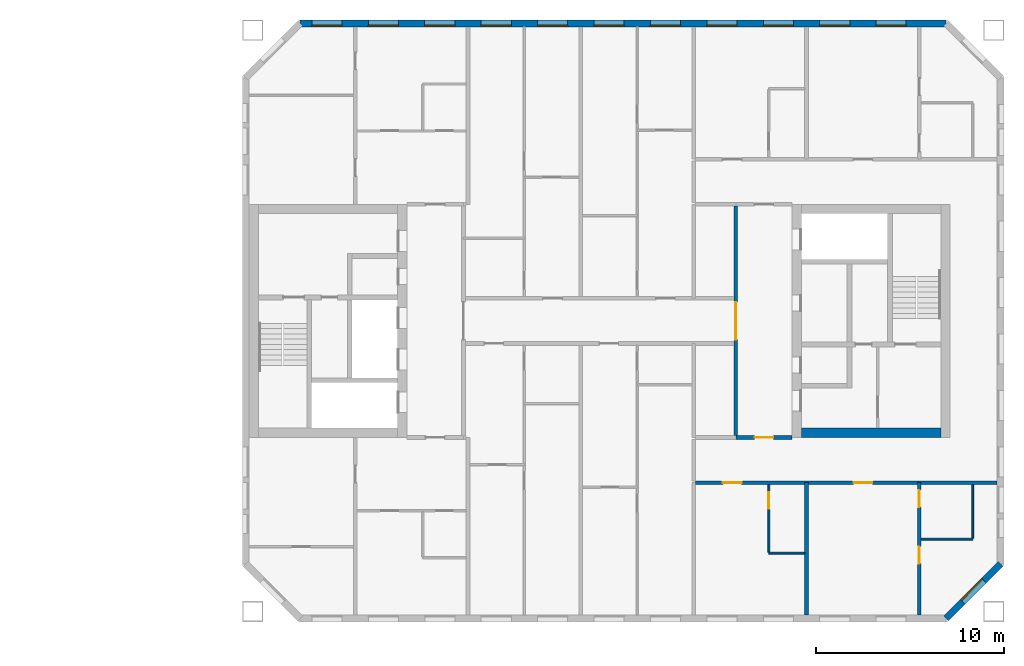
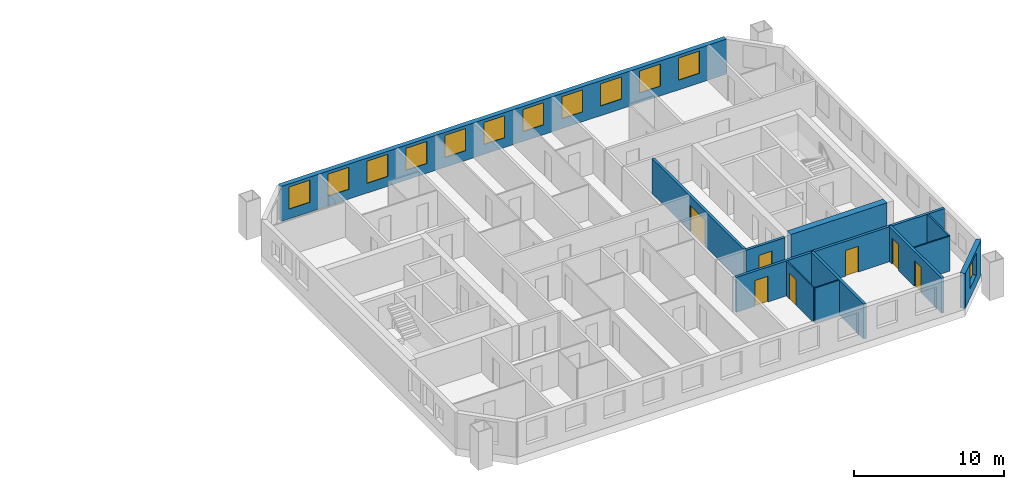
# One storey, part 11 of 15: 12 walls, 12 windows, 7 doors, 19 openings.
"""IFC4 building model written with IfcOpenShell, lengths in metres."""

from ifc_helpers import new_model, si_unit, direction, frame, frame_2d, origin, place, context, subcontext, project, spatial, rectangle, extrude, material, layer, layer_set, type_object, element, fill, save


model = new_model("IFC4")

# Units and contexts
model_context = context("Model", 3, precision=1e-05, world=origin(), true_north=direction((0.0, 1.0)))
body_context = subcontext(model_context, "Body", "Model", "MODEL_VIEW")
ifc_project = project(units=[si_unit("LENGTHUNIT", "METRE"), si_unit("AREAUNIT", "SQUARE_METRE"), si_unit("VOLUMEUNIT", "CUBIC_METRE"), si_unit("PLANEANGLEUNIT", "RADIAN"), si_unit("MASSUNIT", "GRAM", prefix="KILO")], contexts=[model_context])

# Site, building, storey
site_placement = place(None, origin())
site = spatial("IfcSite", under=ifc_project, at=site_placement, CompositionType="ELEMENT")
building_placement = place(site_placement, origin())
building = spatial("IfcBuilding", under=site, at=building_placement, Name="Tuart Gate Housing", CompositionType="ELEMENT")
storey_placement = place(building_placement, frame((0.0, 0.0, 148.5)))
storey = spatial("IfcBuildingStorey", under=building, at=storey_placement, Name="L41", CompositionType="ELEMENT", Elevation=148.5)

# Wall, opening, window
ifc_material_1 = material(Name="Brick", Category="masonry")
ifc_layer_1 = layer(ifc_material_1, 0.360107421875)
ifc_layer_set_1 = layer_set([ifc_layer_1], Name="Brick pier and spandrel wall 360")
wall_type_1 = type_object("IfcWallType", Name="Brick pier and spandrel wall 360", PredefinedType="STANDARD", material=ifc_layer_set_1)
wall_1_placement = place(storey_placement, frame((168.42529296875, 54.179931640625, 0.0), z_axis=(0.0, 0.0, 1.0), x_axis=(0.707106781187, 0.707106781187, 0.0)))
wall_1 = element("IfcWall", 1, at=wall_1_placement, inside=storey, type_object=wall_type_1, Name="External wall B-SE L41", PredefinedType="STANDARD", context=body_context, shape_type="SweptSolid", body=[
    extrude(rectangle(XDim=4.09375, YDim=0.360107421875, at=frame_2d((2.046875, 0.0))), origin(), (0.0, 0.0, 1.0), 2.85009765625),
])
opening_1_placement = place(wall_1_placement, frame((1.2470703125, 0.0, 0.800048828125)))
opening_1 = element("IfcOpeningElement", 2, at=opening_1_placement, cuts=wall_1, Name="Opening W1", PredefinedType="OPENING", context=body_context, shape_type="SweptSolid", body=[
    extrude(rectangle(XDim=1.60009765625, YDim=1.800048828125, at=frame_2d((0.800048828125, 0.89990234375))), frame((0.0, 0.18994140625, 0.0), z_axis=(0.0, -1.0, 0.0), x_axis=(1.0, 0.0, 0.0)), (0.0, 0.0, 1.0), 0.380126953125),
])
ifc_material_2 = material(Name="Aluminium frame with clear glass", Category="aluminium")
window_type = type_object("IfcWindowType", Name="Punched window 1600 x 1800", PartitioningType="SINGLE_PANEL", PredefinedType="WINDOW", material=ifc_material_2)
window_1_placement = place(opening_1_placement, origin())
window_1 = element("IfcWindow", 3, at=window_1_placement, inside=storey, type_object=window_type, Name="Window W1", OverallHeight=1.800048828125, OverallWidth=1.60009765625, PartitioningType="SINGLE_PANEL", PredefinedType="WINDOW", context=body_context, shape_type="SweptSolid", body=[
    extrude(rectangle(XDim=1.60009765625, YDim=1.800048828125, at=frame_2d((0.800048828125, 0.89990234375))), frame((0.0, 0.150146484375, 0.0), z_axis=(0.0, -1.0, 0.0), x_axis=(1.0, 0.0, 0.0)), (0.0, 0.0, 1.0), 0.06005859375),
])
fill(opening_1, window_1)

# Wall, openings, windows
wall_2_placement = place(storey_placement, frame((168.42529296875, 85.820068359375, 0.0), z_axis=(0.0, 0.0, 1.0), x_axis=(-1.0, 0.0, 0.0)))
wall_2 = element("IfcWall", 4, at=wall_2_placement, inside=storey, type_object=wall_type_1, Name="External wall B-N L41", PredefinedType="STANDARD", context=body_context, shape_type="SweptSolid", body=[
    extrude(rectangle(XDim=34.350830078125, YDim=0.360107421875, at=frame_2d((17.17529296875, 0.0))), origin(), (0.0, 0.0, 1.0), 2.85009765625),
])
opening_2_placement = place(wall_2_placement, frame((2.12548828125, 0.0, 0.800048828125)))
opening_2 = element("IfcOpeningElement", 5, at=opening_2_placement, cuts=wall_2, Name="Opening W1", PredefinedType="OPENING", context=body_context, shape_type="SweptSolid", body=[
    extrude(rectangle(XDim=1.60009765625, YDim=1.800048828125, at=frame_2d((0.800048828125, 0.89990234375))), frame((0.0, 0.18994140625, 0.0), z_axis=(0.0, -1.0, 0.0), x_axis=(1.0, 0.0, 0.0)), (0.0, 0.0, 1.0), 0.380126953125),
])
opening_3_placement = place(wall_2_placement, frame((5.12548828125, 0.0, 0.800048828125)))
opening_3 = element("IfcOpeningElement", 6, at=opening_3_placement, cuts=wall_2, Name="Opening W1", PredefinedType="OPENING", context=body_context, shape_type="SweptSolid", body=[
    extrude(rectangle(XDim=1.60009765625, YDim=1.800048828125, at=frame_2d((0.800048828125, 0.89990234375))), frame((0.0, 0.18994140625, 0.0), z_axis=(0.0, -1.0, 0.0), x_axis=(1.0, 0.0, 0.0)), (0.0, 0.0, 1.0), 0.380126953125),
])
opening_4_placement = place(wall_2_placement, frame((8.12548828125, 0.0, 0.800048828125)))
opening_4 = element("IfcOpeningElement", 7, at=opening_4_placement, cuts=wall_2, Name="Opening W1", PredefinedType="OPENING", context=body_context, shape_type="SweptSolid", body=[
    extrude(rectangle(XDim=1.60009765625, YDim=1.800048828125, at=frame_2d((0.800048828125, 0.89990234375))), frame((0.0, 0.18994140625, 0.0), z_axis=(0.0, -1.0, 0.0), x_axis=(1.0, 0.0, 0.0)), (0.0, 0.0, 1.0), 0.380126953125),
])
opening_5_placement = place(wall_2_placement, frame((11.12548828125, 0.0, 0.800048828125)))
opening_5 = element("IfcOpeningElement", 8, at=opening_5_placement, cuts=wall_2, Name="Opening W1", PredefinedType="OPENING", context=body_context, shape_type="SweptSolid", body=[
    extrude(rectangle(XDim=1.60009765625, YDim=1.800048828125, at=frame_2d((0.800048828125, 0.89990234375))), frame((0.0, 0.18994140625, 0.0), z_axis=(0.0, -1.0, 0.0), x_axis=(1.0, 0.0, 0.0)), (0.0, 0.0, 1.0), 0.380126953125),
])
opening_6_placement = place(wall_2_placement, frame((14.12548828125, 0.0, 0.800048828125)))
opening_6 = element("IfcOpeningElement", 9, at=opening_6_placement, cuts=wall_2, Name="Opening W1", PredefinedType="OPENING", context=body_context, shape_type="SweptSolid", body=[
    extrude(rectangle(XDim=1.60009765625, YDim=1.800048828125, at=frame_2d((0.800048828125, 0.89990234375))), frame((0.0, 0.18994140625, 0.0), z_axis=(0.0, -1.0, 0.0), x_axis=(1.0, 0.0, 0.0)), (0.0, 0.0, 1.0), 0.380126953125),
])
opening_7_placement = place(wall_2_placement, frame((17.12548828125, 0.0, 0.800048828125)))
opening_7 = element("IfcOpeningElement", 10, at=opening_7_placement, cuts=wall_2, Name="Opening W1", PredefinedType="OPENING", context=body_context, shape_type="SweptSolid", body=[
    extrude(rectangle(XDim=1.60009765625, YDim=1.800048828125, at=frame_2d((0.800048828125, 0.89990234375))), frame((0.0, 0.18994140625, 0.0), z_axis=(0.0, -1.0, 0.0), x_axis=(1.0, 0.0, 0.0)), (0.0, 0.0, 1.0), 0.380126953125),
])
opening_8_placement = place(wall_2_placement, frame((20.12548828125, 0.0, 0.800048828125)))
opening_8 = element("IfcOpeningElement", 11, at=opening_8_placement, cuts=wall_2, Name="Opening W1", PredefinedType="OPENING", context=body_context, shape_type="SweptSolid", body=[
    extrude(rectangle(XDim=1.60009765625, YDim=1.800048828125, at=frame_2d((0.800048828125, 0.89990234375))), frame((0.0, 0.18994140625, 0.0), z_axis=(0.0, -1.0, 0.0), x_axis=(1.0, 0.0, 0.0)), (0.0, 0.0, 1.0), 0.380126953125),
])
opening_9_placement = place(wall_2_placement, frame((23.12548828125, 0.0, 0.800048828125)))
opening_9 = element("IfcOpeningElement", 12, at=opening_9_placement, cuts=wall_2, Name="Opening W1", PredefinedType="OPENING", context=body_context, shape_type="SweptSolid", body=[
    extrude(rectangle(XDim=1.60009765625, YDim=1.800048828125, at=frame_2d((0.800048828125, 0.89990234375))), frame((0.0, 0.18994140625, 0.0), z_axis=(0.0, -1.0, 0.0), x_axis=(1.0, 0.0, 0.0)), (0.0, 0.0, 1.0), 0.380126953125),
])
opening_10_placement = place(wall_2_placement, frame((26.12548828125, 0.0, 0.800048828125)))
opening_10 = element("IfcOpeningElement", 13, at=opening_10_placement, cuts=wall_2, Name="Opening W1", PredefinedType="OPENING", context=body_context, shape_type="SweptSolid", body=[
    extrude(rectangle(XDim=1.60009765625, YDim=1.800048828125, at=frame_2d((0.800048828125, 0.89990234375))), frame((0.0, 0.18994140625, 0.0), z_axis=(0.0, -1.0, 0.0), x_axis=(1.0, 0.0, 0.0)), (0.0, 0.0, 1.0), 0.380126953125),
])
opening_11_placement = place(wall_2_placement, frame((29.12548828125, 0.0, 0.800048828125)))
opening_11 = element("IfcOpeningElement", 14, at=opening_11_placement, cuts=wall_2, Name="Opening W1", PredefinedType="OPENING", context=body_context, shape_type="SweptSolid", body=[
    extrude(rectangle(XDim=1.60009765625, YDim=1.800048828125, at=frame_2d((0.800048828125, 0.89990234375))), frame((0.0, 0.18994140625, 0.0), z_axis=(0.0, -1.0, 0.0), x_axis=(1.0, 0.0, 0.0)), (0.0, 0.0, 1.0), 0.380126953125),
])
opening_12_placement = place(wall_2_placement, frame((32.12548828125, 0.0, 0.800048828125)))
opening_12 = element("IfcOpeningElement", 15, at=opening_12_placement, cuts=wall_2, Name="Opening W1", PredefinedType="OPENING", context=body_context, shape_type="SweptSolid", body=[
    extrude(rectangle(XDim=1.60009765625, YDim=1.800048828125, at=frame_2d((0.800048828125, 0.89990234375))), frame((0.0, 0.18994140625, 0.0), z_axis=(0.0, -1.0, 0.0), x_axis=(1.0, 0.0, 0.0)), (0.0, 0.0, 1.0), 0.380126953125),
])
window_2_placement = place(opening_2_placement, origin())
window_2 = element("IfcWindow", 16, at=window_2_placement, inside=storey, type_object=window_type, Name="Window W1", OverallHeight=1.800048828125, OverallWidth=1.60009765625, PartitioningType="SINGLE_PANEL", PredefinedType="WINDOW", context=body_context, shape_type="SweptSolid", body=[
    extrude(rectangle(XDim=1.60009765625, YDim=1.800048828125, at=frame_2d((0.800048828125, 0.89990234375))), frame((0.0, 0.150146484375, 0.0), z_axis=(0.0, -1.0, 0.0), x_axis=(1.0, 0.0, 0.0)), (0.0, 0.0, 1.0), 0.06005859375),
])
fill(opening_2, window_2)
window_3_placement = place(opening_3_placement, origin())
window_3 = element("IfcWindow", 17, at=window_3_placement, inside=storey, type_object=window_type, Name="Window W1", OverallHeight=1.800048828125, OverallWidth=1.60009765625, PartitioningType="SINGLE_PANEL", PredefinedType="WINDOW", context=body_context, shape_type="SweptSolid", body=[
    extrude(rectangle(XDim=1.60009765625, YDim=1.800048828125, at=frame_2d((0.800048828125, 0.89990234375))), frame((0.0, 0.150146484375, 0.0), z_axis=(0.0, -1.0, 0.0), x_axis=(1.0, 0.0, 0.0)), (0.0, 0.0, 1.0), 0.06005859375),
])
fill(opening_3, window_3)
window_4_placement = place(opening_4_placement, origin())
window_4 = element("IfcWindow", 18, at=window_4_placement, inside=storey, type_object=window_type, Name="Window W1", OverallHeight=1.800048828125, OverallWidth=1.60009765625, PartitioningType="SINGLE_PANEL", PredefinedType="WINDOW", context=body_context, shape_type="SweptSolid", body=[
    extrude(rectangle(XDim=1.60009765625, YDim=1.800048828125, at=frame_2d((0.800048828125, 0.89990234375))), frame((0.0, 0.150146484375, 0.0), z_axis=(0.0, -1.0, 0.0), x_axis=(1.0, 0.0, 0.0)), (0.0, 0.0, 1.0), 0.06005859375),
])
fill(opening_4, window_4)
window_5_placement = place(opening_5_placement, origin())
window_5 = element("IfcWindow", 19, at=window_5_placement, inside=storey, type_object=window_type, Name="Window W1", OverallHeight=1.800048828125, OverallWidth=1.60009765625, PartitioningType="SINGLE_PANEL", PredefinedType="WINDOW", context=body_context, shape_type="SweptSolid", body=[
    extrude(rectangle(XDim=1.60009765625, YDim=1.800048828125, at=frame_2d((0.800048828125, 0.89990234375))), frame((0.0, 0.150146484375, 0.0), z_axis=(0.0, -1.0, 0.0), x_axis=(1.0, 0.0, 0.0)), (0.0, 0.0, 1.0), 0.06005859375),
])
fill(opening_5, window_5)
window_6_placement = place(opening_6_placement, origin())
window_6 = element("IfcWindow", 20, at=window_6_placement, inside=storey, type_object=window_type, Name="Window W1", OverallHeight=1.800048828125, OverallWidth=1.60009765625, PartitioningType="SINGLE_PANEL", PredefinedType="WINDOW", context=body_context, shape_type="SweptSolid", body=[
    extrude(rectangle(XDim=1.60009765625, YDim=1.800048828125, at=frame_2d((0.800048828125, 0.89990234375))), frame((0.0, 0.150146484375, 0.0), z_axis=(0.0, -1.0, 0.0), x_axis=(1.0, 0.0, 0.0)), (0.0, 0.0, 1.0), 0.06005859375),
])
fill(opening_6, window_6)
window_7_placement = place(opening_7_placement, origin())
window_7 = element("IfcWindow", 21, at=window_7_placement, inside=storey, type_object=window_type, Name="Window W1", OverallHeight=1.800048828125, OverallWidth=1.60009765625, PartitioningType="SINGLE_PANEL", PredefinedType="WINDOW", context=body_context, shape_type="SweptSolid", body=[
    extrude(rectangle(XDim=1.60009765625, YDim=1.800048828125, at=frame_2d((0.800048828125, 0.89990234375))), frame((0.0, 0.150146484375, 0.0), z_axis=(0.0, -1.0, 0.0), x_axis=(1.0, 0.0, 0.0)), (0.0, 0.0, 1.0), 0.06005859375),
])
fill(opening_7, window_7)
window_8_placement = place(opening_8_placement, origin())
window_8 = element("IfcWindow", 22, at=window_8_placement, inside=storey, type_object=window_type, Name="Window W1", OverallHeight=1.800048828125, OverallWidth=1.60009765625, PartitioningType="SINGLE_PANEL", PredefinedType="WINDOW", context=body_context, shape_type="SweptSolid", body=[
    extrude(rectangle(XDim=1.60009765625, YDim=1.800048828125, at=frame_2d((0.800048828125, 0.89990234375))), frame((0.0, 0.150146484375, 0.0), z_axis=(0.0, -1.0, 0.0), x_axis=(1.0, 0.0, 0.0)), (0.0, 0.0, 1.0), 0.06005859375),
])
fill(opening_8, window_8)
window_9_placement = place(opening_9_placement, origin())
window_9 = element("IfcWindow", 23, at=window_9_placement, inside=storey, type_object=window_type, Name="Window W1", OverallHeight=1.800048828125, OverallWidth=1.60009765625, PartitioningType="SINGLE_PANEL", PredefinedType="WINDOW", context=body_context, shape_type="SweptSolid", body=[
    extrude(rectangle(XDim=1.60009765625, YDim=1.800048828125, at=frame_2d((0.800048828125, 0.89990234375))), frame((0.0, 0.150146484375, 0.0), z_axis=(0.0, -1.0, 0.0), x_axis=(1.0, 0.0, 0.0)), (0.0, 0.0, 1.0), 0.06005859375),
])
fill(opening_9, window_9)
window_10_placement = place(opening_10_placement, origin())
window_10 = element("IfcWindow", 24, at=window_10_placement, inside=storey, type_object=window_type, Name="Window W1", OverallHeight=1.800048828125, OverallWidth=1.60009765625, PartitioningType="SINGLE_PANEL", PredefinedType="WINDOW", context=body_context, shape_type="SweptSolid", body=[
    extrude(rectangle(XDim=1.60009765625, YDim=1.800048828125, at=frame_2d((0.800048828125, 0.89990234375))), frame((0.0, 0.150146484375, 0.0), z_axis=(0.0, -1.0, 0.0), x_axis=(1.0, 0.0, 0.0)), (0.0, 0.0, 1.0), 0.06005859375),
])
fill(opening_10, window_10)
window_11_placement = place(opening_11_placement, origin())
window_11 = element("IfcWindow", 25, at=window_11_placement, inside=storey, type_object=window_type, Name="Window W1", OverallHeight=1.800048828125, OverallWidth=1.60009765625, PartitioningType="SINGLE_PANEL", PredefinedType="WINDOW", context=body_context, shape_type="SweptSolid", body=[
    extrude(rectangle(XDim=1.60009765625, YDim=1.800048828125, at=frame_2d((0.800048828125, 0.89990234375))), frame((0.0, 0.150146484375, 0.0), z_axis=(0.0, -1.0, 0.0), x_axis=(1.0, 0.0, 0.0)), (0.0, 0.0, 1.0), 0.06005859375),
])
fill(opening_11, window_11)
window_12_placement = place(opening_12_placement, origin())
window_12 = element("IfcWindow", 26, at=window_12_placement, inside=storey, type_object=window_type, Name="Window W1", OverallHeight=1.800048828125, OverallWidth=1.60009765625, PartitioningType="SINGLE_PANEL", PredefinedType="WINDOW", context=body_context, shape_type="SweptSolid", body=[
    extrude(rectangle(XDim=1.60009765625, YDim=1.800048828125, at=frame_2d((0.800048828125, 0.89990234375))), frame((0.0, 0.150146484375, 0.0), z_axis=(0.0, -1.0, 0.0), x_axis=(1.0, 0.0, 0.0)), (0.0, 0.0, 1.0), 0.06005859375),
])
fill(opening_12, window_12)

# Wall
ifc_material_3 = material(Name="Concrete C40", Category="concrete")
ifc_layer_2 = layer(ifc_material_3, 0.5)
ifc_layer_set_2 = layer_set([ifc_layer_2], Name="Core wall 500 C40")
wall_type_2 = type_object("IfcWallType", Name="Core wall 500 C40", PredefinedType="SHEAR", material=ifc_layer_set_2)
wall_3_placement = place(storey_placement, frame((160.739990234375, 64.050048828125, 0.0), z_axis=(0.0, 0.0, 1.0), x_axis=(1.0, 0.0, 0.0)))
element("IfcWall", 27, at=wall_3_placement, inside=storey, type_object=wall_type_2, Name="Core wall BK north", PredefinedType="SHEAR", context=body_context, shape_type="SweptSolid", body=[
    extrude(rectangle(XDim=7.39990234375, YDim=0.5, at=frame_2d((3.699951171875, 0.0))), origin(), (0.0, 0.0, 1.0), 2.85009765625),
])

# Wall, openings, doors
ifc_material_4 = material(Name="Concrete masonry 15 MPa", Category="masonry")
ifc_layer_3 = layer(ifc_material_4, 0.199951171875)
ifc_layer_set_3 = layer_set([ifc_layer_3], Name="Corridor wall masonry 200")
wall_type_3 = type_object("IfcWallType", Name="Corridor wall masonry 200", PredefinedType="PARTITIONING", material=ifc_layer_set_3)
wall_4_placement = place(storey_placement, frame((155.10009765625, 61.39990234375, 0.0), z_axis=(0.0, 0.0, 1.0), x_axis=(1.0, 0.0, 0.0)))
wall_4 = element("IfcWall", 28, at=wall_4_placement, inside=storey, type_object=wall_type_3, Name="Corridor wall masonry 200", PredefinedType="PARTITIONING", context=body_context, shape_type="SweptSolid", body=[
    extrude(rectangle(XDim=16.039794921875, YDim=0.199951171875, at=frame_2d((8.02001953125, 0.0))), origin(), (0.0, 0.0, 1.0), 2.85009765625),
])
opening_13_placement = place(wall_4_placement, frame((1.449951171875, 0.0, 0.0)))
opening_13 = element("IfcOpeningElement", 29, at=opening_13_placement, cuts=wall_4, Name="Opening D1613", PredefinedType="OPENING", context=body_context, shape_type="SweptSolid", body=[
    extrude(rectangle(XDim=1.0, YDim=2.10009765625, at=frame_2d((0.5, 1.050048828125))), frame((0.0, 0.10986328125, 0.0), z_axis=(0.0, -1.0, 0.0), x_axis=(1.0, 0.0, 0.0)), (0.0, 0.0, 1.0), 0.219970703125),
])
opening_14_placement = place(wall_4_placement, frame((8.39990234375, 0.0, 0.0)))
opening_14 = element("IfcOpeningElement", 30, at=opening_14_placement, cuts=wall_4, Name="Opening D1614", PredefinedType="OPENING", context=body_context, shape_type="SweptSolid", body=[
    extrude(rectangle(XDim=1.0, YDim=2.10009765625, at=frame_2d((0.5, 1.050048828125))), frame((0.0, 0.10986328125, 0.0), z_axis=(0.0, -1.0, 0.0), x_axis=(1.0, 0.0, 0.0)), (0.0, 0.0, 1.0), 0.219970703125),
])
ifc_material_5 = material(Name="Timber door leaf in steel frame", Category="steel")
door_type_1 = type_object("IfcDoorType", Name="Flat entrance door 1000", OperationType="SINGLE_SWING_LEFT", PredefinedType="DOOR", material=ifc_material_5)
door_1_placement = place(opening_13_placement, frame((1.0, 0.0, 0.0), z_axis=(0.0, 0.0, 1.0), x_axis=(-1.0, 0.0, 0.0)))
door_1 = element("IfcDoor", 31, at=door_1_placement, inside=storey, type_object=door_type_1, Name="Flat entrance door", OperationType="SINGLE_SWING_LEFT", OverallHeight=2.10009765625, OverallWidth=1.0, PredefinedType="DOOR", context=body_context, shape_type="SweptSolid", body=[
    extrude(rectangle(XDim=1.0, YDim=2.10009765625, at=frame_2d((0.5, 1.050048828125))), frame((0.0, 0.025146484375, 0.0), z_axis=(0.0, -1.0, 0.0), x_axis=(1.0, 0.0, 0.0)), (0.0, 0.0, 1.0), 0.050048828125),
])
fill(opening_13, door_1)
ifc_material_6 = material(Name="Timber door leaf in steel frame", Category="steel")
door_type_2 = type_object("IfcDoorType", Name="Flat entrance door 1000 RH", OperationType="SINGLE_SWING_RIGHT", PredefinedType="DOOR", material=ifc_material_6)
door_2_placement = place(opening_14_placement, frame((1.0, 0.0, 0.0), z_axis=(0.0, 0.0, 1.0), x_axis=(-1.0, 0.0, 0.0)))
door_2 = element("IfcDoor", 32, at=door_2_placement, inside=storey, type_object=door_type_2, Name="Flat entrance door", OperationType="SINGLE_SWING_RIGHT", OverallHeight=2.10009765625, OverallWidth=1.0, PredefinedType="DOOR", context=body_context, shape_type="SweptSolid", body=[
    extrude(rectangle(XDim=1.0, YDim=2.10009765625, at=frame_2d((0.5, 1.050048828125))), frame((0.0, 0.025146484375, 0.0), z_axis=(0.0, -1.0, 0.0), x_axis=(1.0, 0.0, 0.0)), (0.0, 0.0, 1.0), 0.050048828125),
])
fill(opening_14, door_2)

# Wall, opening, door
ifc_material_7 = material(Name="Concrete masonry 15 MPa", Category="masonry")
ifc_layer_4 = layer(ifc_material_7, 0.199951171875)
ifc_layer_set_4 = layer_set([ifc_layer_4], Name="Enclosure wall masonry 200")
wall_type_4 = type_object("IfcWallType", Name="Enclosure wall masonry 200", PredefinedType="PARTITIONING", material=ifc_layer_set_4)
wall_5_placement = place(storey_placement, frame((157.239990234375, 63.800048828125, 0.0), z_axis=(0.0, 0.0, 1.0), x_axis=(1.0, 0.0, 0.0)))
wall_5 = element("IfcWall", 33, at=wall_5_placement, inside=storey, type_object=wall_type_4, Name="Enclosure wall masonry 200", PredefinedType="PARTITIONING", context=body_context, shape_type="SweptSolid", body=[
    extrude(rectangle(XDim=3.0, YDim=0.199951171875, at=frame_2d((1.5, 0.0))), origin(), (0.0, 0.0, 1.0), 2.85009765625),
])
opening_15_placement = place(wall_5_placement, frame((1.0, 0.0, 0.0)))
opening_15 = element("IfcOpeningElement", 34, at=opening_15_placement, cuts=wall_5, Name="Opening D1607", PredefinedType="OPENING", context=body_context, shape_type="SweptSolid", body=[
    extrude(rectangle(XDim=1.0, YDim=2.10009765625, at=frame_2d((0.5, 1.050048828125))), frame((0.0, 0.10986328125, 0.0), z_axis=(0.0, -1.0, 0.0), x_axis=(1.0, 0.0, 0.0)), (0.0, 0.0, 1.0), 0.219970703125),
])
ifc_material_8 = material(Name="Timber door leaf in steel frame", Category="steel")
door_type_3 = type_object("IfcDoorType", Name="Fire door 1000 RH", OperationType="SINGLE_SWING_RIGHT", PredefinedType="DOOR", material=ifc_material_8)
door_3_placement = place(opening_15_placement, frame((1.0, 0.0, 0.0), z_axis=(0.0, 0.0, 1.0), x_axis=(-1.0, 0.0, 0.0)))
door_3 = element("IfcDoor", 35, at=door_3_placement, inside=storey, type_object=door_type_3, Name="Fire door", OperationType="SINGLE_SWING_RIGHT", OverallHeight=2.10009765625, OverallWidth=1.0, PredefinedType="DOOR", context=body_context, shape_type="SweptSolid", body=[
    extrude(rectangle(XDim=1.0, YDim=2.10009765625, at=frame_2d((0.5, 1.050048828125))), frame((0.0, 0.025146484375, 0.0), z_axis=(0.0, -1.0, 0.0), x_axis=(1.0, 0.0, 0.0)), (0.0, 0.0, 1.0), 0.050048828125),
])
fill(opening_15, door_3)

ifc_material_9 = material(Name="Plasterboard partition")
ifc_layer_5 = layer(ifc_material_9, 0.199951171875)
ifc_layer_set_5 = layer_set([ifc_layer_5], Name="Lobby wall 200")
wall_type_5 = type_object("IfcWallType", Name="Lobby wall 200", PredefinedType="PARTITIONING", material=ifc_layer_set_5)
wall_6_placement = place(storey_placement, frame((157.239990234375, 63.89990234375, 0.0), z_axis=(0.0, 0.0, 1.0), x_axis=(0.0, 1.0, 0.0)))
wall_6 = element("IfcWall", 36, at=wall_6_placement, inside=storey, type_object=wall_type_5, Name="Lift lobby wall BK", PredefinedType="PARTITIONING", context=body_context, shape_type="SweptSolid", body=[
    extrude(rectangle(XDim=12.2001953125, YDim=0.199951171875, at=frame_2d((6.10009765625, 0.0))), origin(), (0.0, 0.0, 1.0), 2.85009765625),
])
opening_16_placement = place(wall_6_placement, frame((5.10009765625, 0.0, 0.0)))
opening_16 = element("IfcOpeningElement", 37, at=opening_16_placement, cuts=wall_6, Name="Opening D1597", PredefinedType="OPENING", context=body_context, shape_type="SweptSolid", body=[
    extrude(rectangle(XDim=2.0, YDim=2.10009765625, at=frame_2d((1.0, 1.050048828125))), frame((0.0, 0.10986328125, 0.0), z_axis=(0.0, -1.0, 0.0), x_axis=(1.0, 0.0, 0.0)), (0.0, 0.0, 1.0), 0.219970703125),
])
ifc_material_10 = material(Name="Steel fire door", Category="steel")
door_type_4 = type_object("IfcDoorType", Name="Smoke door 2000 x 2100", OperationType="DOUBLE_DOOR_SINGLE_SWING", PredefinedType="DOOR", material=ifc_material_10)
door_4_placement = place(opening_16_placement, frame((2.0, 0.0, 0.0), z_axis=(0.0, 0.0, 1.0), x_axis=(-1.0, 0.0, 0.0)))
door_4 = element("IfcDoor", 38, at=door_4_placement, inside=storey, type_object=door_type_4, Name="Lift lobby smoke door BK", OperationType="DOUBLE_DOOR_SINGLE_SWING", OverallHeight=2.10009765625, OverallWidth=2.0, PredefinedType="DOOR", context=body_context, shape_type="SweptSolid", body=[
    extrude(rectangle(XDim=2.0, YDim=2.10009765625, at=frame_2d((1.0, 1.050048828125))), frame((0.0, 0.025146484375, 0.0), z_axis=(0.0, -1.0, 0.0), x_axis=(1.0, 0.0, 0.0)), (0.0, 0.0, 1.0), 0.050048828125),
])
fill(opening_16, door_4)

# Walls
ifc_material_11 = material(Name="Gypsum board on steel studs", Category="steel")
ifc_layer_6 = layer(ifc_material_11, 0.10009765625)
ifc_layer_set_6 = layer_set([ifc_layer_6], Name="Partition 100")
wall_type_6 = type_object("IfcWallType", Name="Partition 100", PredefinedType="PARTITIONING", material=ifc_layer_set_6)
wall_7_placement = place(storey_placement, frame((159.0, 57.64990234375, 0.0), z_axis=(0.0, 0.0, 1.0), x_axis=(1.0, 0.0, 0.0)))
element("IfcWall", 39, at=wall_7_placement, inside=storey, type_object=wall_type_6, Name="Partition 100", PredefinedType="PARTITIONING", context=body_context, shape_type="SweptSolid", body=[
    extrude(rectangle(XDim=1.89990234375, YDim=0.10009765625, at=frame_2d((0.949951171875, 0.0))), origin(), (0.0, 0.0, 1.0), 2.85009765625),
])
wall_8_placement = place(storey_placement, frame((167.10009765625, 58.39990234375, 0.0), z_axis=(0.0, 0.0, 1.0), x_axis=(1.0, 0.0, 0.0)))
element("IfcWall", 40, at=wall_8_placement, inside=storey, type_object=wall_type_6, Name="Partition 100", PredefinedType="PARTITIONING", context=body_context, shape_type="SweptSolid", body=[
    extrude(rectangle(XDim=2.739990234375, YDim=0.10009765625, at=frame_2d((1.3701171875, 0.0))), origin(), (0.0, 0.0, 1.0), 2.85009765625),
])

# Wall, opening, door
wall_9_placement = place(storey_placement, frame((159.0, 57.699951171875, 0.0), z_axis=(0.0, 0.0, 1.0), x_axis=(0.0, 1.0, 0.0)))
wall_9 = element("IfcWall", 41, at=wall_9_placement, inside=storey, type_object=wall_type_6, Name="Partition 100", PredefinedType="PARTITIONING", context=body_context, shape_type="SweptSolid", body=[
    extrude(rectangle(XDim=3.60009765625, YDim=0.10009765625, at=frame_2d((1.800048828125, 0.0))), origin(), (0.0, 0.0, 1.0), 2.85009765625),
])
opening_17_placement = place(wall_9_placement, frame((2.300048828125, 0.0, 0.0)))
opening_17 = element("IfcOpeningElement", 42, at=opening_17_placement, cuts=wall_9, Name="Opening D1618", PredefinedType="OPENING", context=body_context, shape_type="SweptSolid", body=[
    extrude(rectangle(XDim=0.89990234375, YDim=2.10009765625, at=frame_2d((0.449951171875, 1.050048828125))), frame((0.0, 0.06005859375, 0.0), z_axis=(0.0, -1.0, 0.0), x_axis=(1.0, 0.0, 0.0)), (0.0, 0.0, 1.0), 0.1201171875),
])
ifc_material_12 = material(Name="Timber door leaf in steel frame", Category="steel")
door_type_5 = type_object("IfcDoorType", Name="Bathroom door 900", OperationType="SINGLE_SWING_LEFT", PredefinedType="DOOR", material=ifc_material_12)
door_5_placement = place(opening_17_placement, frame((0.89990234375, 0.0, 0.0), z_axis=(0.0, 0.0, 1.0), x_axis=(-1.0, 0.0, 0.0)))
door_5 = element("IfcDoor", 43, at=door_5_placement, inside=storey, type_object=door_type_5, Name="Bathroom door", OperationType="SINGLE_SWING_LEFT", OverallHeight=2.10009765625, OverallWidth=0.89990234375, PredefinedType="DOOR", context=body_context, shape_type="SweptSolid", body=[
    extrude(rectangle(XDim=0.89990234375, YDim=2.10009765625, at=frame_2d((0.449951171875, 1.050048828125))), frame((0.0, 0.025146484375, 0.0), z_axis=(0.0, -1.0, 0.0), x_axis=(1.0, 0.0, 0.0)), (0.0, 0.0, 1.0), 0.050048828125),
])
fill(opening_17, door_5)

# Walls
wall_10_placement = place(storey_placement, frame((169.840087890625, 58.449951171875, 0.0), z_axis=(0.0, 0.0, 1.0), x_axis=(0.0, 1.0, 0.0)))
element("IfcWall", 44, at=wall_10_placement, inside=storey, type_object=wall_type_6, Name="Partition 100", PredefinedType="PARTITIONING", context=body_context, shape_type="SweptSolid", body=[
    extrude(rectangle(XDim=2.85009765625, YDim=0.10009765625, at=frame_2d((1.425048828125, 0.0))), origin(), (0.0, 0.0, 1.0), 2.85009765625),
])
ifc_material_13 = material(Name="Concrete C40", Category="concrete")
ifc_layer_7 = layer(ifc_material_13, 0.199951171875)
ifc_layer_set_7 = layer_set([ifc_layer_7], Name="Party wall concrete C40 200")
wall_type_7 = type_object("IfcWallType", Name="Party wall concrete C40 200", PredefinedType="SOLIDWALL", material=ifc_layer_set_7)
wall_11_placement = place(storey_placement, frame((161.0, 54.360107421875, 0.0), z_axis=(0.0, 0.0, 1.0), x_axis=(0.0, 1.0, 0.0)))
element("IfcWall", 45, at=wall_11_placement, inside=storey, type_object=wall_type_7, Name="Party wall concrete C40 200", PredefinedType="SOLIDWALL", context=body_context, shape_type="SweptSolid", body=[
    extrude(rectangle(XDim=7.039794921875, YDim=0.199951171875, at=frame_2d((3.52001953125, 0.0))), origin(), (0.0, 0.0, 1.0), 2.85009765625),
])

# Wall, openings, doors
wall_12_placement = place(storey_placement, frame((167.0, 54.360107421875, 0.0), z_axis=(0.0, 0.0, 1.0), x_axis=(0.0, 1.0, 0.0)))
wall_12 = element("IfcWall", 46, at=wall_12_placement, inside=storey, type_object=wall_type_7, Name="Party wall concrete C40 200", PredefinedType="SOLIDWALL", context=body_context, shape_type="SweptSolid", body=[
    extrude(rectangle(XDim=7.039794921875, YDim=0.199951171875, at=frame_2d((3.52001953125, 0.0))), origin(), (0.0, 0.0, 1.0), 2.85009765625),
])
opening_18_placement = place(wall_12_placement, frame((2.739990234375, 0.0, 0.0)))
opening_18 = element("IfcOpeningElement", 47, at=opening_18_placement, cuts=wall_12, Name="Opening D1622", PredefinedType="OPENING", context=body_context, shape_type="SweptSolid", body=[
    extrude(rectangle(XDim=0.89990234375, YDim=2.10009765625, at=frame_2d((0.449951171875, 1.050048828125))), frame((0.0, 0.10986328125, 0.0), z_axis=(0.0, -1.0, 0.0), x_axis=(1.0, 0.0, 0.0)), (0.0, 0.0, 1.0), 0.219970703125),
])
opening_19_placement = place(wall_12_placement, frame((5.739990234375, 0.0, 0.0)))
opening_19 = element("IfcOpeningElement", 48, at=opening_19_placement, cuts=wall_12, Name="Opening D1621", PredefinedType="OPENING", context=body_context, shape_type="SweptSolid", body=[
    extrude(rectangle(XDim=0.89990234375, YDim=2.10009765625, at=frame_2d((0.449951171875, 1.050048828125))), frame((0.0, 0.10986328125, 0.0), z_axis=(0.0, -1.0, 0.0), x_axis=(1.0, 0.0, 0.0)), (0.0, 0.0, 1.0), 0.219970703125),
])
door_6_placement = place(opening_19_placement, frame((0.89990234375, 0.0, 0.0), z_axis=(0.0, 0.0, 1.0), x_axis=(-1.0, 0.0, 0.0)))
door_6 = element("IfcDoor", 49, at=door_6_placement, inside=storey, type_object=door_type_5, Name="Bathroom door", OperationType="SINGLE_SWING_LEFT", OverallHeight=2.10009765625, OverallWidth=0.89990234375, PredefinedType="DOOR", context=body_context, shape_type="SweptSolid", body=[
    extrude(rectangle(XDim=0.89990234375, YDim=2.10009765625, at=frame_2d((0.449951171875, 1.050048828125))), frame((0.0, 0.025146484375, 0.0), z_axis=(0.0, -1.0, 0.0), x_axis=(1.0, 0.0, 0.0)), (0.0, 0.0, 1.0), 0.050048828125),
])
fill(opening_19, door_6)
ifc_material_14 = material(Name="Timber door leaf in steel frame", Category="steel")
door_type_6 = type_object("IfcDoorType", Name="Internal door 900", OperationType="SINGLE_SWING_LEFT", PredefinedType="DOOR", material=ifc_material_14)
door_7_placement = place(opening_18_placement, frame((0.89990234375, 0.0, 0.0), z_axis=(0.0, 0.0, 1.0), x_axis=(-1.0, 0.0, 0.0)))
door_7 = element("IfcDoor", 50, at=door_7_placement, inside=storey, type_object=door_type_6, Name="Internal door", OperationType="SINGLE_SWING_LEFT", OverallHeight=2.10009765625, OverallWidth=0.89990234375, PredefinedType="DOOR", context=body_context, shape_type="SweptSolid", body=[
    extrude(rectangle(XDim=0.89990234375, YDim=2.10009765625, at=frame_2d((0.449951171875, 1.050048828125))), frame((0.0, 0.025146484375, 0.0), z_axis=(0.0, -1.0, 0.0), x_axis=(1.0, 0.0, 0.0)), (0.0, 0.0, 1.0), 0.050048828125),
])
fill(opening_18, door_7)

save(model, "model.ifc")
